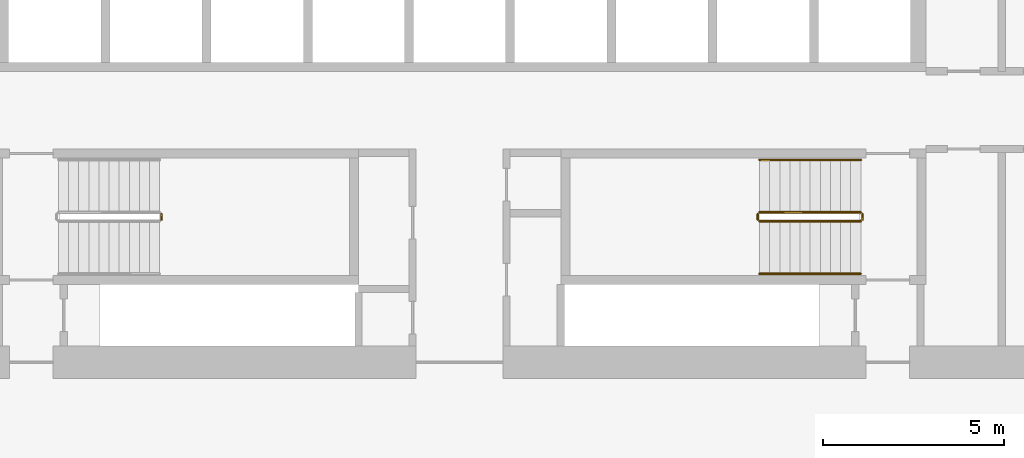
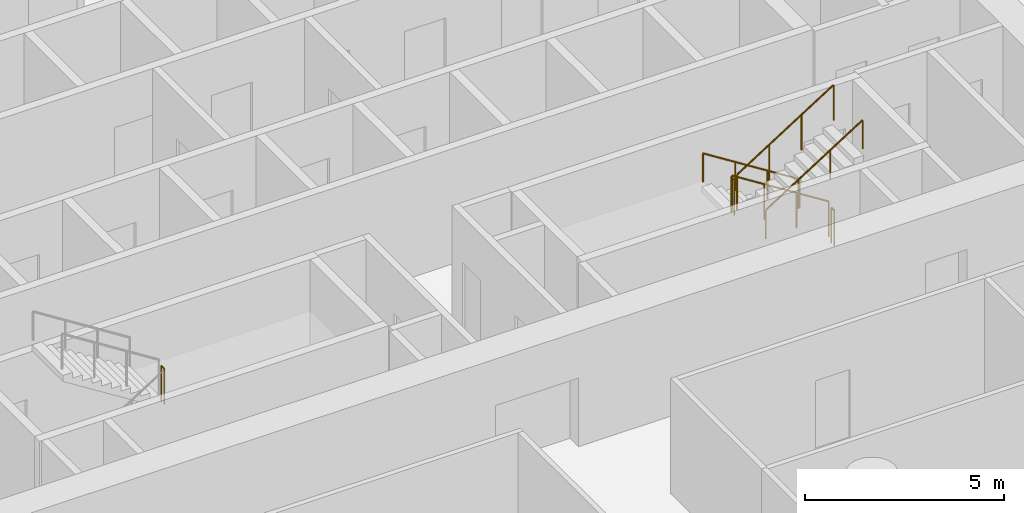
# One storey, part 13 of 18: 7 railings.
"""IFC4 building model written with IfcOpenShell, lengths in metres."""

from ifc_helpers import new_model, si_unit, direction, frame, origin, origin_2d, place, context, subcontext, project, spatial, circle, extrude, material, type_object, element, save


model = new_model("IFC4")

# Units and contexts
model_context = context("Model", 3, precision=1e-05, world=origin(), true_north=direction((0.0, 1.0)))
body_context = subcontext(model_context, "Body", "Model", "MODEL_VIEW")
ifc_project = project(units=[si_unit("LENGTHUNIT", "METRE"), si_unit("AREAUNIT", "SQUARE_METRE"), si_unit("VOLUMEUNIT", "CUBIC_METRE"), si_unit("PLANEANGLEUNIT", "RADIAN"), si_unit("MASSUNIT", "GRAM", prefix="KILO")], contexts=[model_context])

# Site, building, storey
site_placement = place(None, origin())
site = spatial("IfcSite", under=ifc_project, at=site_placement, CompositionType="ELEMENT")
building_placement = place(site_placement, origin())
building = spatial("IfcBuilding", under=site, at=building_placement, Name="Dhurran Vertical Campus", CompositionType="ELEMENT")
storey_placement = place(building_placement, frame((0.0, 0.0, 81.300048828125)))
storey = spatial("IfcBuildingStorey", under=building, at=storey_placement, Name="L19", CompositionType="ELEMENT", Elevation=81.300048828125)

# Railings
ifc_material_1 = material(Name="Stainless steel balustrade", Category="steel")
railing_type_1 = type_object("IfcRailingType", Name="co-RL-GUARD-1100", PredefinedType="GUARDRAIL", material=ifc_material_1)
railing_1_placement = place(storey_placement, frame((-8.25, -9.10009765625, 1.949951171875)))
element("IfcRailing", 1, at=railing_1_placement, inside=storey, type_object=railing_type_1, Name="L19 ST3 stair guard 2", PredefinedType="GUARDRAIL", context=body_context, shape_type="SweptSolid", body=[
    extrude(circle(Radius=0.02392578125, at=origin_2d()), frame((0.0, 0.0, 1.076171875), z_axis=(0.0, 1.0, 0.0), x_axis=(-1.0, 0.0, 0.0)), (0.0, 0.0, 1.0), 0.150146484375),
    extrude(circle(Radius=0.02099609375, at=origin_2d()), origin(), (0.0, 0.0, 1.0), 1.052001953125),
    extrude(circle(Radius=0.02099609375, at=origin_2d()), frame((0.0, 0.150146484375, 0.0)), (0.0, 0.0, 1.0), 1.052001953125),
])
railing_2_placement = place(storey_placement, frame((11.10009765625, -8.89990234375, 0.17724609375)))
element("IfcRailing", 2, at=railing_2_placement, inside=storey, type_object=railing_type_1, Name="L19 ST4 stair guard 1", PredefinedType="GUARDRAIL", context=body_context, shape_type="SweptSolid", body=[
    extrude(circle(Radius=0.02392578125, at=origin_2d()), frame((0.0, 0.0, 1.076171875), z_axis=(-0.844908973607, 0.0, 0.534910110503), x_axis=(0.0, -1.0, 0.0)), (0.0, 0.0, 1.0), 3.31396484375),
    extrude(circle(Radius=0.02099609375, at=origin_2d()), origin(), (0.0, 0.0, 1.0), 1.052001953125),
    extrude(circle(Radius=0.02099609375, at=origin_2d()), frame((-0.933349609375, 0.0, 0.5908203125)), (0.0, 0.0, 1.0), 1.052001953125),
    extrude(circle(Radius=0.02099609375, at=origin_2d()), frame((-1.86669921875, 0.0, 1.181884765625)), (0.0, 0.0, 1.0), 1.052001953125),
    extrude(circle(Radius=0.02099609375, at=origin_2d()), frame((-2.800048828125, 0.0, 1.772705078125)), (0.0, 0.0, 1.0), 1.052001953125),
])
railing_3_placement = place(storey_placement, frame((8.25, -8.949951171875, 1.949951171875)))
element("IfcRailing", 3, at=railing_3_placement, inside=storey, type_object=railing_type_1, Name="L19 ST4 stair guard 2", PredefinedType="GUARDRAIL", context=body_context, shape_type="SweptSolid", body=[
    extrude(circle(Radius=0.02392578125, at=origin_2d()), frame((0.0, 0.0, 1.076171875), z_axis=(0.0, -1.0, 0.0), x_axis=(1.0, 0.0, 0.0)), (0.0, 0.0, 1.0), 0.150146484375),
    extrude(circle(Radius=0.02099609375, at=origin_2d()), origin(), (0.0, 0.0, 1.0), 1.052001953125),
    extrude(circle(Radius=0.02099609375, at=origin_2d()), frame((0.0, -0.150146484375, 0.0)), (0.0, 0.0, 1.0), 1.052001953125),
])
railing_4_placement = place(storey_placement, frame((8.300048828125, -9.14990234375, 2.127197265625)))
element("IfcRailing", 4, at=railing_4_placement, inside=storey, type_object=railing_type_1, Name="L19 ST4 stair guard 3", PredefinedType="GUARDRAIL", context=body_context, shape_type="SweptSolid", body=[
    extrude(circle(Radius=0.02392578125, at=origin_2d()), frame((0.0, 0.0, 1.076171875), z_axis=(0.844908973607, 0.0, 0.534910110503), x_axis=(0.0, 1.0, 0.0)), (0.0, 0.0, 1.0), 3.31396484375),
    extrude(circle(Radius=0.02099609375, at=origin_2d()), origin(), (0.0, 0.0, 1.0), 1.052001953125),
    extrude(circle(Radius=0.02099609375, at=origin_2d()), frame((0.933349609375, 0.0, 0.5908203125)), (0.0, 0.0, 1.0), 1.052001953125),
    extrude(circle(Radius=0.02099609375, at=origin_2d()), frame((1.86669921875, 0.0, 1.181884765625)), (0.0, 0.0, 1.0), 1.052001953125),
    extrude(circle(Radius=0.02099609375, at=origin_2d()), frame((2.800048828125, 0.0, 1.772705078125)), (0.0, 0.0, 1.0), 1.052001953125),
])
railing_5_placement = place(storey_placement, frame((11.14990234375, -8.949951171875, 0.0)))
element("IfcRailing", 5, at=railing_5_placement, inside=storey, type_object=railing_type_1, Name="L19 ST4 stair guard 4", PredefinedType="GUARDRAIL", context=body_context, shape_type="SweptSolid", body=[
    extrude(circle(Radius=0.02392578125, at=origin_2d()), frame((0.0, 0.0, 1.076171875), z_axis=(0.0, -1.0, 0.0), x_axis=(1.0, 0.0, 0.0)), (0.0, 0.0, 1.0), 0.150146484375),
    extrude(circle(Radius=0.02099609375, at=origin_2d()), origin(), (0.0, 0.0, 1.0), 1.052001953125),
    extrude(circle(Radius=0.02099609375, at=origin_2d()), frame((0.0, -0.150146484375, 0.0)), (0.0, 0.0, 1.0), 1.052001953125),
])
ifc_material_2 = material(Name="Stainless steel handrail", Category="steel")
railing_type_2 = type_object("IfcRailingType", Name="co-RL-HANDRAIL-900", PredefinedType="HANDRAIL", material=ifc_material_2)
railing_6_placement = place(storey_placement, frame((11.10009765625, -7.449951171875, 0.17724609375)))
element("IfcRailing", 6, at=railing_6_placement, inside=storey, type_object=railing_type_2, Name="L19 ST4 stair handrail 1", PredefinedType="HANDRAIL", context=body_context, shape_type="SweptSolid", body=[
    extrude(circle(Radius=0.02392578125, at=origin_2d()), frame((0.0, 0.0, 0.8759765625), z_axis=(-0.844908973607, 0.0, 0.534910110503), x_axis=(0.0, -1.0, 0.0)), (0.0, 0.0, 1.0), 3.31396484375),
    extrude(circle(Radius=0.02099609375, at=origin_2d()), origin(), (0.0, 0.0, 1.0), 0.851806640625),
    extrude(circle(Radius=0.02099609375, at=origin_2d()), frame((-0.933349609375, 0.0, 0.5908203125)), (0.0, 0.0, 1.0), 0.851806640625),
    extrude(circle(Radius=0.02099609375, at=origin_2d()), frame((-1.86669921875, 0.0, 1.181884765625)), (0.0, 0.0, 1.0), 0.851806640625),
    extrude(circle(Radius=0.02099609375, at=origin_2d()), frame((-2.800048828125, 0.0, 1.772705078125)), (0.0, 0.0, 1.0), 0.851806640625),
])
railing_7_placement = place(storey_placement, frame((8.300048828125, -10.60009765625, 2.127197265625)))
element("IfcRailing", 7, at=railing_7_placement, inside=storey, type_object=railing_type_2, Name="L19 ST4 stair handrail 2", PredefinedType="HANDRAIL", context=body_context, shape_type="SweptSolid", body=[
    extrude(circle(Radius=0.02392578125, at=origin_2d()), frame((0.0, 0.0, 0.8759765625), z_axis=(0.844908973607, 0.0, 0.534910110503), x_axis=(0.0, 1.0, 0.0)), (0.0, 0.0, 1.0), 3.31396484375),
    extrude(circle(Radius=0.02099609375, at=origin_2d()), origin(), (0.0, 0.0, 1.0), 0.851806640625),
    extrude(circle(Radius=0.02099609375, at=origin_2d()), frame((0.933349609375, 0.0, 0.5908203125)), (0.0, 0.0, 1.0), 0.851806640625),
    extrude(circle(Radius=0.02099609375, at=origin_2d()), frame((1.86669921875, 0.0, 1.181884765625)), (0.0, 0.0, 1.0), 0.851806640625),
    extrude(circle(Radius=0.02099609375, at=origin_2d()), frame((2.800048828125, 0.0, 1.772705078125)), (0.0, 0.0, 1.0), 0.851806640625),
])

save(model, "model.ifc")
